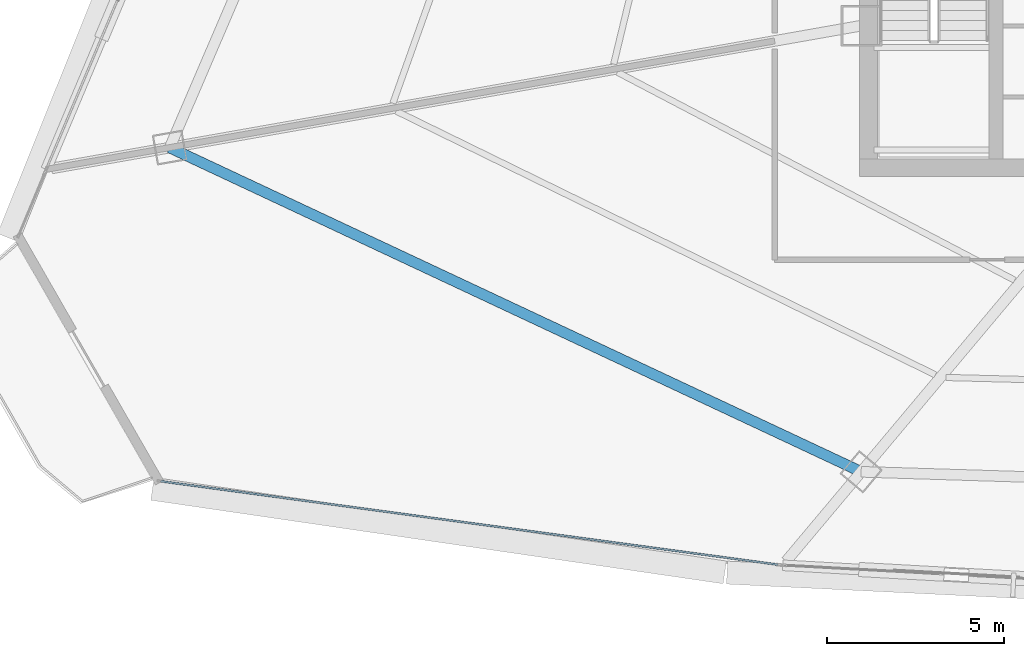
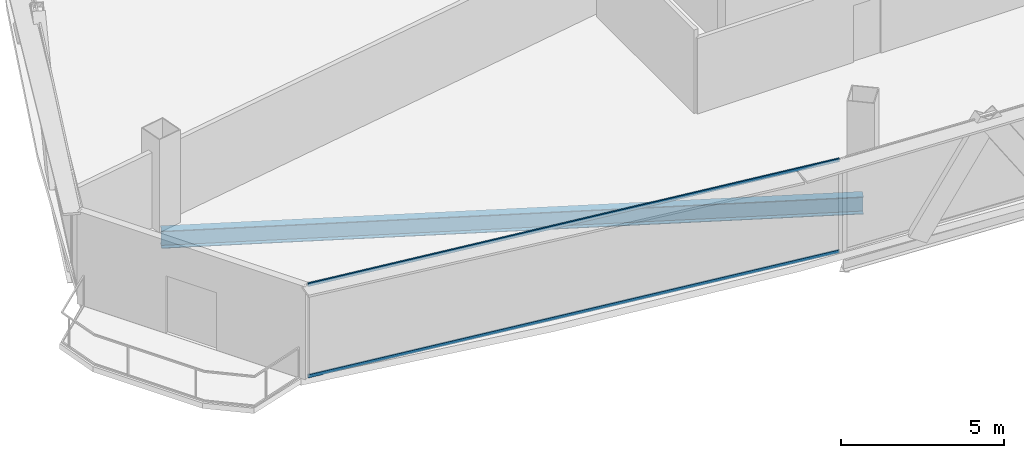
# One storey, part 3 of 34: 2 members, 1 beam, 1 element without a shape of its own.
"""IFC4 building model written with IfcOpenShell, lengths in metres."""

from ifc_helpers import new_model, si_unit, direction, frame, origin, origin_2d, place, context, subcontext, project, spatial, hollow_rectangle, i_section, extrude, source, transform, mapped, material, layer, layer_set, material_profile, profile_set, type_object, element, aggregate, save


model = new_model("IFC4")

# Units and contexts
model_context = context("Model", 3, precision=1e-05, world=origin(), true_north=direction((0.0, 1.0)))
body_context = subcontext(model_context, "Body", "Model", "MODEL_VIEW")
ifc_project = project(units=[si_unit("LENGTHUNIT", "METRE"), si_unit("AREAUNIT", "SQUARE_METRE"), si_unit("VOLUMEUNIT", "CUBIC_METRE"), si_unit("PLANEANGLEUNIT", "RADIAN"), si_unit("MASSUNIT", "GRAM", prefix="KILO"), si_unit("THERMODYNAMICTEMPERATUREUNIT", "KELVIN"), si_unit("POWERUNIT", "WATT")], contexts=[model_context])

# Site, building, storey
site_placement = place(None, origin())
site = spatial("IfcSite", under=ifc_project, at=site_placement, CompositionType="ELEMENT")
building_placement = place(site_placement, origin())
building = spatial("IfcBuilding", under=site, at=building_placement, Name="Yunzhuo Pagoda Commons", CompositionType="ELEMENT")
storey_placement = place(building_placement, frame((0.0, 0.0, 229.610107421875)))
storey = spatial("IfcBuildingStorey", under=building, at=storey_placement, Name="L57", CompositionType="ELEMENT", Elevation=229.610107421875)

# Beam
ifc_material_1 = material(Name="Structural steel Q355B", Category="steel")
ifc_material_profile_1 = material_profile(ifc_material_1, i_section(OverallWidth=0.300048828125, OverallDepth=0.64990234375, WebThickness=0.012939453125, FlangeThickness=0.02197265625, at=origin_2d()), Name="Structural steel Q355B")
ifc_profile_set_1 = profile_set([ifc_material_profile_1], Name="Structural steel Q355B")
beam_type = type_object("IfcBeamType", Name="B-RG2 Beam HN 650x300x13x22", PredefinedType="BEAM", material=ifc_profile_set_1)
shared_shape_1 = source(origin(), body_context, "Body", "SweptSolid", [
    extrude(i_section(OverallWidth=0.300048828125, OverallDepth=0.64990234375, WebThickness=0.012939453125, FlangeThickness=0.02197265625, at=origin_2d()), origin(), (0.0, 0.0, 1.0), 21.56689453125),
])
beam_placement = place(storey_placement, frame((16.06591796875, 28.069091796875, -0.585205078125), z_axis=(0.905424265365, -0.424507832304, 0.0), x_axis=(0.424507832304, 0.905424265365, 0.0)))
element("IfcBeam", 1, at=beam_placement, inside=storey, type_object=beam_type, Name="L57 column-ring beam 12", PredefinedType="BEAM", context=body_context, shape_type="MappedRepresentation", body=[
    mapped(shared_shape_1, transform((0.0, 0.0, 0.0), scale=1.0)),
])

# Curtain wall, members
ifc_material_2 = material(Name="Anodized aluminium 6063-T6", Category="aluminium")
ifc_layer = layer(ifc_material_2, 0.139892578125)
ifc_layer_set = layer_set([ifc_layer], Name="Anodized aluminium 6063-T6")
curtain_wall_type = type_object("IfcCurtainWallType", Name="CW-HI High-Zone Ribbon Curtain Wall", PredefinedType="NOTDEFINED", material=ifc_layer_set)
curtain_wall_placement = place(storey_placement, origin())
curtain_wall = element("IfcCurtainWall", 2, at=curtain_wall_placement, inside=storey, type_object=curtain_wall_type, Name="L57 curtain wall CW-L57-F1B1", PredefinedType="NOTDEFINED")
ifc_material_profile_2 = material_profile(ifc_material_2, hollow_rectangle(XDim=0.054931640625, YDim=0.1201171875, WallThickness=0.00341796875, at=origin_2d()), Name="Anodized aluminium 6063-T6")
ifc_profile_set_2 = profile_set([ifc_material_profile_2], Name="Anodized aluminium 6063-T6")
member_type = type_object("IfcMemberType", Name="CW-HI-T Transom RHS 120x55x3.5", PredefinedType="USERDEFINED", material=ifc_profile_set_2)
shared_shape_2 = source(origin(), body_context, "Body", "SweptSolid", [
    extrude(hollow_rectangle(XDim=0.054931640625, YDim=0.1201171875, WallThickness=0.00341796875, at=origin_2d()), origin(), (0.0, 0.0, 1.0), 17.590087890625),
])
member_1_placement = place(storey_placement, frame((15.81201171875, 18.647216796875, 0.02734375), z_axis=(0.990991783223, -0.133922685102, 0.0), x_axis=(0.133922685102, 0.990991783223, 0.0)))
member_1 = element("IfcMember", 3, at=member_1_placement, type_object=member_type, Name="CW transom 1.1", ObjectType="TRANSOM", PredefinedType="USERDEFINED", context=body_context, shape_type="MappedRepresentation", body=[
    mapped(shared_shape_2, transform((0.0, 0.0, 0.0), scale=1.0)),
])
member_2_placement = place(storey_placement, frame((15.81201171875, 18.647216796875, 3.4423828125), z_axis=(0.990991783223, -0.133922685102, 0.0), x_axis=(0.133922685102, 0.990991783223, 0.0)))
member_2 = element("IfcMember", 4, at=member_2_placement, type_object=member_type, Name="CW transom 1.2", ObjectType="TRANSOM", PredefinedType="USERDEFINED", context=body_context, shape_type="MappedRepresentation", body=[
    mapped(shared_shape_2, transform((0.0, 0.0, 0.0), scale=1.0)),
])
aggregate(curtain_wall, [member_1, member_2])

save(model, "model.ifc")
